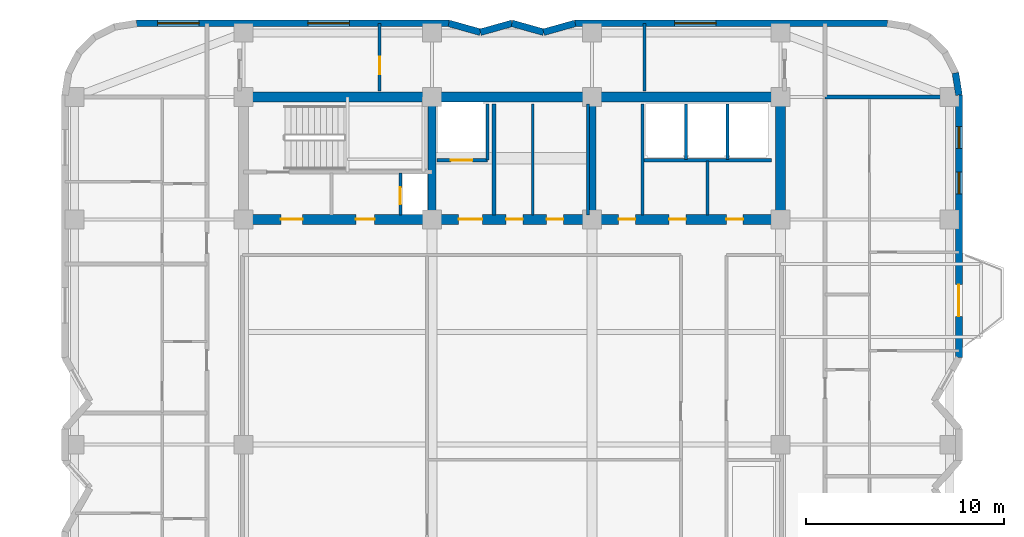
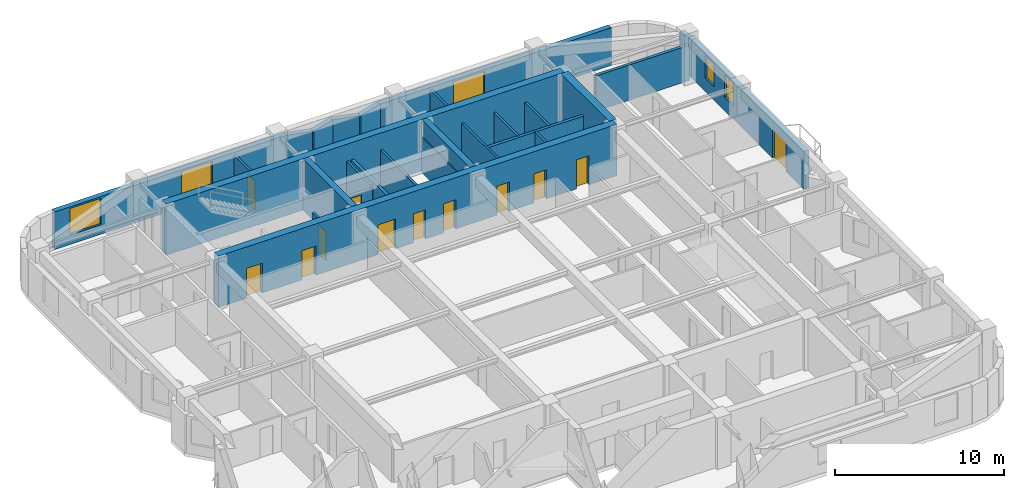
# One storey, part 6 of 9: 27 walls, 12 doors, 5 windows, 17 openings.
"""IFC4 building model written with IfcOpenShell, lengths in metres."""

from ifc_helpers import new_model, si_unit, direction, frame, frame_2d, origin, place, context, subcontext, project, spatial, rectangle, extrude, material, layer, layer_set, type_object, element, fill, save


model = new_model("IFC4")

# Units and contexts
model_context = context("Model", 3, precision=1e-05, world=origin(), true_north=direction((0.0, 1.0)))
body_context = subcontext(model_context, "Body", "Model", "MODEL_VIEW")
ifc_project = project(units=[si_unit("LENGTHUNIT", "METRE"), si_unit("AREAUNIT", "SQUARE_METRE"), si_unit("VOLUMEUNIT", "CUBIC_METRE"), si_unit("PLANEANGLEUNIT", "RADIAN"), si_unit("MASSUNIT", "GRAM", prefix="KILO")], contexts=[model_context])

# Site, building, storey
site_placement = place(None, origin())
site = spatial("IfcSite", under=ifc_project, at=site_placement, CompositionType="ELEMENT")
building_placement = place(site_placement, origin())
building = spatial("IfcBuilding", under=site, at=building_placement, Name="Svetorya Sky Lyceum", CompositionType="ELEMENT")
storey_placement = place(building_placement, frame((0.0, 0.0, 166.300048828125)))
storey = spatial("IfcBuildingStorey", under=building, at=storey_placement, Name="L41", CompositionType="ELEMENT", Elevation=166.300048828125)

# Walls
ifc_material_1 = material(Name="Concrete C40/50", Category="concrete")
ifc_layer_1 = layer(ifc_material_1, 0.39990234375)
ifc_layer_set_1 = layer_set([ifc_layer_1], Name="Concrete C40/50")
wall_type_1 = type_object("IfcWallType", Name="WL-CORE-400", PredefinedType="SHEAR", material=ifc_layer_set_1)
for number, where, z_axis, x_axis, name in (
    (1, (35.14990234375, 39.85009765625, 0.0), (0.0, 0.0, 1.0), (0.0, 1.0, 0.0), "L41 NC Internal Shear Web WEB1"),
    (2, (43.25, 39.85009765625, 0.0), (0.0, 0.0, 1.0), (0.0, 1.0, 0.0), "L41 NC Internal Shear Web WEB2"),
):
    element("IfcWall", number, at=place(storey_placement, frame(where, z_axis=z_axis, x_axis=x_axis)), inside=storey, type_object=wall_type_1, Name=name, PredefinedType="SHEAR", context=body_context, shape_type="SweptSolid", body=[
        extrude(rectangle(XDim=5.699951171875, YDim=0.39990234375, at=frame_2d((2.85009765625, 0.0))), origin(), (0.0, 0.0, 1.0), 3.699951171875),
    ])
ifc_material_2 = material(Name="Concrete C50/60", Category="concrete")
ifc_layer_2 = layer(ifc_material_2, 0.5)
ifc_layer_set_2 = layer_set([ifc_layer_2], Name="Concrete C50/60")
wall_type_2 = type_object("IfcWallType", Name="WL-CORE-500", PredefinedType="SHEAR", material=ifc_layer_set_2)
wall_1_placement = place(storey_placement, frame((25.60009765625, 45.800048828125, 0.0), z_axis=(0.0, 0.0, 1.0), x_axis=(1.0, 0.0, 0.0)))
element("IfcWall", 3, at=wall_1_placement, inside=storey, type_object=wall_type_2, Name="L41 NC Outer Core Shear Wall", PredefinedType="SHEAR", context=body_context, shape_type="SweptSolid", body=[
    extrude(rectangle(XDim=27.199951171875, YDim=0.5, at=frame_2d((13.60009765625, 0.0))), origin(), (0.0, 0.0, 1.0), 3.699951171875),
])
wall_2_placement = place(storey_placement, frame((52.800048828125, 39.85009765625, 0.0), z_axis=(0.0, 0.0, 1.0), x_axis=(0.0, 1.0, 0.0)))
element("IfcWall", 4, at=wall_2_placement, inside=storey, type_object=wall_type_2, Name="L41 NC East Core Shear Wall", PredefinedType="SHEAR", context=body_context, shape_type="SweptSolid", body=[
    extrude(rectangle(XDim=5.699951171875, YDim=0.5, at=frame_2d((2.85009765625, 0.0))), origin(), (0.0, 0.0, 1.0), 3.699951171875),
])

# Wall, openings, doors
wall_3_placement = place(storey_placement, frame((52.800048828125, 39.60009765625, 0.0), z_axis=(0.0, 0.0, 1.0), x_axis=(-1.0, 0.0, 0.0)))
wall_3 = element("IfcWall", 5, at=wall_3_placement, inside=storey, type_object=wall_type_2, Name="L41 NC Inner Core Shear Wall", PredefinedType="SHEAR", context=body_context, shape_type="SweptSolid", body=[
    extrude(rectangle(XDim=27.199951171875, YDim=0.5, at=frame_2d((13.60009765625, 0.0))), origin(), (0.0, 0.0, 1.0), 3.699951171875),
])
opening_1_placement = place(wall_3_placement, frame((24.199951171875, 0.0, 0.0)))
opening_1 = element("IfcOpeningElement", 6, at=opening_1_placement, cuts=wall_3, Name="Opening D-ST1", PredefinedType="OPENING", context=body_context, shape_type="SweptSolid", body=[
    extrude(rectangle(XDim=1.10009765625, YDim=2.14990234375, at=frame_2d((0.550048828125, 1.074951171875))), frame((0.0, 0.260009765625, 0.0), z_axis=(0.0, -1.0, 0.0), x_axis=(1.0, 0.0, 0.0)), (0.0, 0.0, 1.0), 0.52001953125),
])
opening_2_placement = place(wall_3_placement, frame((20.550048828125, 0.0, 0.0)))
opening_2 = element("IfcOpeningElement", 7, at=opening_2_placement, cuts=wall_3, Name="Opening D-CAC1", PredefinedType="OPENING", context=body_context, shape_type="SweptSolid", body=[
    extrude(rectangle(XDim=0.949951171875, YDim=2.10009765625, at=frame_2d((0.47509765625, 1.050048828125))), frame((0.0, 0.260009765625, 0.0), z_axis=(0.0, -1.0, 0.0), x_axis=(1.0, 0.0, 0.0)), (0.0, 0.0, 1.0), 0.52001953125),
])
opening_3_placement = place(wall_3_placement, frame((15.10009765625, 0.0, 0.0)))
opening_3 = element("IfcOpeningElement", 8, at=opening_3_placement, cuts=wall_3, Name="Opening D-FL1", PredefinedType="OPENING", context=body_context, shape_type="SweptSolid", body=[
    extrude(rectangle(XDim=1.199951171875, YDim=2.14990234375, at=frame_2d((0.60009765625, 1.074951171875))), frame((0.0, 0.260009765625, 0.0), z_axis=(0.0, -1.0, 0.0), x_axis=(1.0, 0.0, 0.0)), (0.0, 0.0, 1.0), 0.52001953125),
])
opening_4_placement = place(wall_3_placement, frame((13.050048828125, 0.0, 0.0)))
opening_4 = element("IfcOpeningElement", 9, at=opening_4_placement, cuts=wall_3, Name="Opening D-CWC1", PredefinedType="OPENING", context=body_context, shape_type="SweptSolid", body=[
    extrude(rectangle(XDim=0.85009765625, YDim=2.10009765625, at=frame_2d((0.425048828125, 1.050048828125))), frame((0.0, 0.260009765625, 0.0), z_axis=(0.0, -1.0, 0.0), x_axis=(1.0, 0.0, 0.0)), (0.0, 0.0, 1.0), 0.52001953125),
])
opening_5_placement = place(wall_3_placement, frame((11.0, 0.0, 0.0)))
opening_5 = element("IfcOpeningElement", 10, at=opening_5_placement, cuts=wall_3, Name="Opening D-CWC1", PredefinedType="OPENING", context=body_context, shape_type="SweptSolid", body=[
    extrude(rectangle(XDim=0.85009765625, YDim=2.10009765625, at=frame_2d((0.425048828125, 1.050048828125))), frame((0.0, 0.260009765625, 0.0), z_axis=(0.0, -1.0, 0.0), x_axis=(1.0, 0.0, 0.0)), (0.0, 0.0, 1.0), 0.52001953125),
])
opening_6_placement = place(wall_3_placement, frame((7.35009765625, 0.0, 0.0)))
opening_6 = element("IfcOpeningElement", 11, at=opening_6_placement, cuts=wall_3, Name="Opening D-CWC1", PredefinedType="OPENING", context=body_context, shape_type="SweptSolid", body=[
    extrude(rectangle(XDim=0.85009765625, YDim=2.10009765625, at=frame_2d((0.425048828125, 1.050048828125))), frame((0.0, 0.260009765625, 0.0), z_axis=(0.0, -1.0, 0.0), x_axis=(1.0, 0.0, 0.0)), (0.0, 0.0, 1.0), 0.52001953125),
])
opening_7_placement = place(wall_3_placement, frame((4.800048828125, 0.0, 0.0)))
opening_7 = element("IfcOpeningElement", 12, at=opening_7_placement, cuts=wall_3, Name="Opening D-CWC1", PredefinedType="OPENING", context=body_context, shape_type="SweptSolid", body=[
    extrude(rectangle(XDim=0.85009765625, YDim=2.10009765625, at=frame_2d((0.425048828125, 1.050048828125))), frame((0.0, 0.260009765625, 0.0), z_axis=(0.0, -1.0, 0.0), x_axis=(1.0, 0.0, 0.0)), (0.0, 0.0, 1.0), 0.52001953125),
])
opening_8_placement = place(wall_3_placement, frame((1.89990234375, 0.0, 0.0)))
opening_8 = element("IfcOpeningElement", 13, at=opening_8_placement, cuts=wall_3, Name="Opening D-CWC1", PredefinedType="OPENING", context=body_context, shape_type="SweptSolid", body=[
    extrude(rectangle(XDim=0.85009765625, YDim=2.10009765625, at=frame_2d((0.425048828125, 1.050048828125))), frame((0.0, 0.260009765625, 0.0), z_axis=(0.0, -1.0, 0.0), x_axis=(1.0, 0.0, 0.0)), (0.0, 0.0, 1.0), 0.52001953125),
])
ifc_material_3 = material(Name="Fire-rated galvanized steel core accessible WC door", Category="steel")
door_type_1 = type_object("IfcDoorType", Name="DR-CACC-950", OperationType="SINGLE_SWING_LEFT", PredefinedType="DOOR", material=ifc_material_3)
door_1_placement = place(opening_2_placement, origin())
door_1 = element("IfcDoor", 14, at=door_1_placement, inside=storey, type_object=door_type_1, Name="L41 North Core Accessible WC Door", OperationType="SINGLE_SWING_RIGHT", OverallHeight=2.10009765625, OverallWidth=0.949951171875, PredefinedType="DOOR", context=body_context, shape_type="SweptSolid", body=[
    extrude(rectangle(XDim=0.949951171875, YDim=2.10009765625, at=frame_2d((0.47509765625, 1.050048828125))), frame((0.0, 0.02490234375, 0.0), z_axis=(0.0, -1.0, 0.0), x_axis=(1.0, 0.0, 0.0)), (0.0, 0.0, 1.0), 0.050048828125),
])
fill(opening_2, door_1)
ifc_material_4 = material(Name="Fire-rated galvanized steel core service closet door", Category="steel")
door_type_2 = type_object("IfcDoorType", Name="DR-CWET-850", OperationType="SINGLE_SWING_LEFT", PredefinedType="DOOR", material=ifc_material_4)
door_2_placement = place(opening_4_placement, origin())
door_2 = element("IfcDoor", 15, at=door_2_placement, inside=storey, type_object=door_type_2, Name="L41 Upper Linen Door", OperationType="SINGLE_SWING_LEFT", OverallHeight=2.10009765625, OverallWidth=0.85009765625, PredefinedType="DOOR", context=body_context, shape_type="SweptSolid", body=[
    extrude(rectangle(XDim=0.85009765625, YDim=2.10009765625, at=frame_2d((0.425048828125, 1.050048828125))), frame((0.0, 0.02490234375, 0.0), z_axis=(0.0, -1.0, 0.0), x_axis=(1.0, 0.0, 0.0)), (0.0, 0.0, 1.0), 0.050048828125),
])
fill(opening_4, door_2)
door_3_placement = place(opening_5_placement, origin())
door_3 = element("IfcDoor", 16, at=door_3_placement, inside=storey, type_object=door_type_2, Name="L41 Upper Laundry Door", OperationType="SINGLE_SWING_RIGHT", OverallHeight=2.10009765625, OverallWidth=0.85009765625, PredefinedType="DOOR", context=body_context, shape_type="SweptSolid", body=[
    extrude(rectangle(XDim=0.85009765625, YDim=2.10009765625, at=frame_2d((0.425048828125, 1.050048828125))), frame((0.0, 0.02490234375, 0.0), z_axis=(0.0, -1.0, 0.0), x_axis=(1.0, 0.0, 0.0)), (0.0, 0.0, 1.0), 0.050048828125),
])
fill(opening_5, door_3)
door_4_placement = place(opening_6_placement, origin())
door_4 = element("IfcDoor", 17, at=door_4_placement, inside=storey, type_object=door_type_2, Name="L41 High-Zone Utility Room Door", OperationType="SINGLE_SWING_LEFT", OverallHeight=2.10009765625, OverallWidth=0.85009765625, PredefinedType="DOOR", context=body_context, shape_type="SweptSolid", body=[
    extrude(rectangle(XDim=0.85009765625, YDim=2.10009765625, at=frame_2d((0.425048828125, 1.050048828125))), frame((0.0, 0.02490234375, 0.0), z_axis=(0.0, -1.0, 0.0), x_axis=(1.0, 0.0, 0.0)), (0.0, 0.0, 1.0), 0.050048828125),
])
fill(opening_6, door_4)
door_5_placement = place(opening_7_placement, origin())
door_5 = element("IfcDoor", 18, at=door_5_placement, inside=storey, type_object=door_type_2, Name="L41 North Pantry Door", OperationType="SINGLE_SWING_LEFT", OverallHeight=2.10009765625, OverallWidth=0.85009765625, PredefinedType="DOOR", context=body_context, shape_type="SweptSolid", body=[
    extrude(rectangle(XDim=0.85009765625, YDim=2.10009765625, at=frame_2d((0.425048828125, 1.050048828125))), frame((0.0, 0.02490234375, 0.0), z_axis=(0.0, -1.0, 0.0), x_axis=(1.0, 0.0, 0.0)), (0.0, 0.0, 1.0), 0.050048828125),
])
fill(opening_7, door_5)
door_6_placement = place(opening_8_placement, origin())
door_6 = element("IfcDoor", 19, at=door_6_placement, inside=storey, type_object=door_type_2, Name="L41 North Laundry Door", OperationType="SINGLE_SWING_RIGHT", OverallHeight=2.10009765625, OverallWidth=0.85009765625, PredefinedType="DOOR", context=body_context, shape_type="SweptSolid", body=[
    extrude(rectangle(XDim=0.85009765625, YDim=2.10009765625, at=frame_2d((0.425048828125, 1.050048828125))), frame((0.0, 0.02490234375, 0.0), z_axis=(0.0, -1.0, 0.0), x_axis=(1.0, 0.0, 0.0)), (0.0, 0.0, 1.0), 0.050048828125),
])
fill(opening_8, door_6)
ifc_material_5 = material(Name="Powder-coated insulated galvanized stair fire door")
door_type_3 = type_object("IfcDoorType", Name="DR-FIRE-1100", OperationType="SINGLE_SWING_LEFT", PredefinedType="DOOR", material=ifc_material_5)
door_7_placement = place(opening_1_placement, origin())
door_7 = element("IfcDoor", 20, at=door_7_placement, inside=storey, type_object=door_type_3, Name="L41 North Stair Airlock Door", OperationType="SINGLE_SWING_LEFT", OverallHeight=2.14990234375, OverallWidth=1.10009765625, PredefinedType="DOOR", context=body_context, shape_type="SweptSolid", body=[
    extrude(rectangle(XDim=1.10009765625, YDim=2.14990234375, at=frame_2d((0.550048828125, 1.074951171875))), frame((0.0, 0.02490234375, 0.0), z_axis=(0.0, -1.0, 0.0), x_axis=(1.0, 0.0, 0.0)), (0.0, 0.0, 1.0), 0.050048828125),
])
fill(opening_1, door_7)
ifc_material_6 = material(Name="Powder-coated insulated galvanized fire door")
door_type_4 = type_object("IfcDoorType", Name="DR-FIRE-1200", OperationType="SINGLE_SWING_LEFT", PredefinedType="DOOR", material=ifc_material_6)
door_8_placement = place(opening_3_placement, origin())
door_8 = element("IfcDoor", 21, at=door_8_placement, inside=storey, type_object=door_type_4, Name="L41 North Firefighting Lift Lobby Door", OperationType="SINGLE_SWING_RIGHT", OverallHeight=2.14990234375, OverallWidth=1.199951171875, PredefinedType="DOOR", context=body_context, shape_type="SweptSolid", body=[
    extrude(rectangle(XDim=1.199951171875, YDim=2.14990234375, at=frame_2d((0.60009765625, 1.074951171875))), frame((0.0, 0.02490234375, 0.0), z_axis=(0.0, -1.0, 0.0), x_axis=(1.0, 0.0, 0.0)), (0.0, 0.0, 1.0), 0.050048828125),
])
fill(opening_3, door_8)

# Wall, openings, door, windows
ifc_material_7 = material(Name="Putilovo limestone rainscreen on autoclaved cellular masonry", Category="masonry")
ifc_layer_3 = layer(ifc_material_7, 0.340087890625)
ifc_layer_set_3 = layer_set([ifc_layer_3], Name="Putilovo limestone rainscreen on autoclaved cellular masonry")
wall_type_3 = type_object("IfcWallType", Name="WL-EXT-340", PredefinedType="SOLIDWALL", material=ifc_layer_set_3)
wall_4_placement = place(storey_placement, frame((61.830078125, 32.60009765625, 0.0), z_axis=(0.0, 0.0, 1.0), x_axis=(0.0, 1.0, 0.0)))
wall_4 = element("IfcWall", 22, at=wall_4_placement, inside=storey, type_object=wall_type_3, Name="L41 Limestone Exterior Wall 23M", PredefinedType="SOLIDWALL", context=body_context, shape_type="SweptSolid", body=[
    extrude(rectangle(XDim=13.2998046875, YDim=0.340087890625, at=frame_2d((6.64990234375, 0.0))), origin(), (0.0, 0.0, 1.0), 2.719970703125),
])
opening_9_placement = place(wall_4_placement, frame((2.10009765625, 0.0, 0.0)))
opening_9 = element("IfcOpeningElement", 23, at=opening_9_placement, cuts=wall_4, Name="Opening D-BL1", PredefinedType="OPENING", context=body_context, shape_type="SweptSolid", body=[
    extrude(rectangle(XDim=1.60009765625, YDim=2.10009765625, at=frame_2d((0.800048828125, 1.050048828125))), frame((0.0, 0.179931640625, 0.0), z_axis=(0.0, -1.0, 0.0), x_axis=(1.0, 0.0, 0.0)), (0.0, 0.0, 1.0), 0.360107421875),
])
opening_10_placement = place(wall_4_placement, frame((8.300048828125, 0.0, 0.949951171875)))
opening_10 = element("IfcOpeningElement", 24, at=opening_10_placement, cuts=wall_4, Name="Opening W-R3", PredefinedType="OPENING", context=body_context, shape_type="SweptSolid", body=[
    extrude(rectangle(XDim=1.10009765625, YDim=1.64990234375, at=frame_2d((0.550048828125, 0.824951171875))), frame((0.0, 0.179931640625, 0.0), z_axis=(0.0, -1.0, 0.0), x_axis=(1.0, 0.0, 0.0)), (0.0, 0.0, 1.0), 0.360107421875),
])
opening_11_placement = place(wall_4_placement, frame((10.60009765625, 0.0, 0.949951171875)))
opening_11 = element("IfcOpeningElement", 25, at=opening_11_placement, cuts=wall_4, Name="Opening W-R3", PredefinedType="OPENING", context=body_context, shape_type="SweptSolid", body=[
    extrude(rectangle(XDim=1.10009765625, YDim=1.64990234375, at=frame_2d((0.550048828125, 0.824951171875))), frame((0.0, 0.179931640625, 0.0), z_axis=(0.0, -1.0, 0.0), x_axis=(1.0, 0.0, 0.0)), (0.0, 0.0, 1.0), 0.360107421875),
])
ifc_material_8 = material(Name="Insulated glazed aluminium balcony door", Category="aluminium")
door_type_5 = type_object("IfcDoorType", Name="DR-BAL-1600", OperationType="DOUBLE_DOOR_SINGLE_SWING", PredefinedType="DOOR", material=ifc_material_8)
door_9_placement = place(opening_9_placement, origin())
door_9 = element("IfcDoor", 26, at=door_9_placement, inside=storey, type_object=door_type_5, Name="L41 Balcony BAL-E1 Door", OperationType="DOUBLE_DOOR_SINGLE_SWING", OverallHeight=2.10009765625, OverallWidth=1.60009765625, PredefinedType="DOOR", context=body_context, shape_type="SweptSolid", body=[
    extrude(rectangle(XDim=1.60009765625, YDim=2.10009765625, at=frame_2d((0.800048828125, 1.050048828125))), frame((0.0, 0.02490234375, 0.0), z_axis=(0.0, -1.0, 0.0), x_axis=(1.0, 0.0, 0.0)), (0.0, 0.0, 1.0), 0.050048828125),
])
fill(opening_9, door_9)
ifc_material_9 = material(Name="Thermally broken aluminium frame with triple low-E glazing", Category="aluminium")
window_type_1 = type_object("IfcWindowType", Name="WN-RES-110", PartitioningType="SINGLE_PANEL", PredefinedType="WINDOW", material=ifc_material_9)
window_1_placement = place(opening_10_placement, origin())
window_1 = element("IfcWindow", 27, at=window_1_placement, inside=storey, type_object=window_type_1, Name="L41 Facade Window W-R3.23M.1", OverallHeight=1.64990234375, OverallWidth=1.10009765625, PartitioningType="SINGLE_PANEL", PredefinedType="WINDOW", context=body_context, shape_type="SweptSolid", body=[
    extrude(rectangle(XDim=1.10009765625, YDim=1.64990234375, at=frame_2d((0.550048828125, 0.824951171875))), frame((0.0, 0.030029296875, 0.0), z_axis=(0.0, -1.0, 0.0), x_axis=(1.0, 0.0, 0.0)), (0.0, 0.0, 1.0), 0.06005859375),
])
fill(opening_10, window_1)
window_2_placement = place(opening_11_placement, origin())
window_2 = element("IfcWindow", 28, at=window_2_placement, inside=storey, type_object=window_type_1, Name="L41 Facade Window W-R3.23M.2", OverallHeight=1.64990234375, OverallWidth=1.10009765625, PartitioningType="SINGLE_PANEL", PredefinedType="WINDOW", context=body_context, shape_type="SweptSolid", body=[
    extrude(rectangle(XDim=1.10009765625, YDim=1.64990234375, at=frame_2d((0.550048828125, 0.824951171875))), frame((0.0, 0.030029296875, 0.0), z_axis=(0.0, -1.0, 0.0), x_axis=(1.0, 0.0, 0.0)), (0.0, 0.0, 1.0), 0.06005859375),
])
fill(opening_11, window_2)

# Wall
wall_5_placement = place(storey_placement, frame((61.830078125, 45.89990234375, 0.0), z_axis=(0.0, 0.0, 1.0), x_axis=(-0.156481329164, 0.987680916907, 0.0)))
element("IfcWall", 29, at=wall_5_placement, inside=storey, type_object=wall_type_3, Name="L41 Limestone Exterior Wall 24M", PredefinedType="SOLIDWALL", context=body_context, shape_type="SweptSolid", body=[
    extrude(rectangle(XDim=1.1357421875, YDim=0.340087890625, at=frame_2d((0.56787109375, 0.0))), origin(), (0.0, 0.0, 1.0), 2.719970703125),
])

# Wall, opening, window
wall_6_placement = place(storey_placement, frame((58.199951171875, 49.530029296875, 0.0), z_axis=(0.0, 0.0, 1.0), x_axis=(-1.0, 0.0, 0.0)))
wall_6 = element("IfcWall", 30, at=wall_6_placement, inside=storey, type_object=wall_type_3, Name="L41 Limestone Exterior Wall 29M", PredefinedType="SOLIDWALL", context=body_context, shape_type="SweptSolid", body=[
    extrude(rectangle(XDim=15.800048828125, YDim=0.340087890625, at=frame_2d((7.89990234375, 0.0))), origin(), (0.0, 0.0, 1.0), 2.719970703125),
])
opening_12_placement = place(wall_6_placement, frame((8.66259765625, 0.0, 0.699951171875)))
opening_12 = element("IfcOpeningElement", 31, at=opening_12_placement, cuts=wall_6, Name="Opening W-R0", PredefinedType="OPENING", context=body_context, shape_type="SweptSolid", body=[
    extrude(rectangle(XDim=2.10009765625, YDim=1.89990234375, at=frame_2d((1.050048828125, 0.949951171875))), frame((0.0, 0.179931640625, 0.0), z_axis=(0.0, -1.0, 0.0), x_axis=(1.0, 0.0, 0.0)), (0.0, 0.0, 1.0), 0.360107421875),
])
window_type_2 = type_object("IfcWindowType", Name="WN-RES-210", PartitioningType="TRIPLE_PANEL_VERTICAL", PredefinedType="WINDOW", material=ifc_material_9)
window_3_placement = place(opening_12_placement, origin())
window_3 = element("IfcWindow", 32, at=window_3_placement, inside=storey, type_object=window_type_2, Name="L41 Facade Window W-R0.29M.1", OverallHeight=1.89990234375, OverallWidth=2.10009765625, PartitioningType="SINGLE_PANEL", PredefinedType="WINDOW", context=body_context, shape_type="SweptSolid", body=[
    extrude(rectangle(XDim=2.10009765625, YDim=1.89990234375, at=frame_2d((1.050048828125, 0.949951171875))), frame((0.0, 0.030029296875, 0.0), z_axis=(0.0, -1.0, 0.0), x_axis=(1.0, 0.0, 0.0)), (0.0, 0.0, 1.0), 0.06005859375),
])
fill(opening_12, window_3)

# Walls
wall_7_placement = place(storey_placement, frame((42.39990234375, 49.530029296875, 0.0), z_axis=(0.0, 0.0, 1.0), x_axis=(-0.962652136636, -0.270741322725, 0.0)))
element("IfcWall", 33, at=wall_7_placement, inside=storey, type_object=wall_type_3, Name="L41 Limestone Exterior Wall 30M", PredefinedType="SOLIDWALL", context=body_context, shape_type="SweptSolid", body=[
    extrude(rectangle(XDim=1.661865234375, YDim=0.340087890625, at=frame_2d((0.8310546875, 0.0))), origin(), (0.0, 0.0, 1.0), 2.719970703125),
])
wall_8_placement = place(storey_placement, frame((40.800048828125, 49.080078125, 0.0), z_axis=(0.0, 0.0, 1.0), x_axis=(-0.962662902433, 0.270703040766, 0.0)))
element("IfcWall", 34, at=wall_8_placement, inside=storey, type_object=wall_type_3, Name="L41 Limestone Exterior Wall 31M", PredefinedType="SOLIDWALL", context=body_context, shape_type="SweptSolid", body=[
    extrude(rectangle(XDim=1.662109375, YDim=0.340087890625, at=frame_2d((0.8310546875, 0.0))), origin(), (0.0, 0.0, 1.0), 2.719970703125),
])
wall_9_placement = place(storey_placement, frame((39.199951171875, 49.530029296875, 0.0), z_axis=(0.0, 0.0, 1.0), x_axis=(-0.962652136636, -0.270741322725, 0.0)))
element("IfcWall", 35, at=wall_9_placement, inside=storey, type_object=wall_type_3, Name="L41 Limestone Exterior Wall 32M", PredefinedType="SOLIDWALL", context=body_context, shape_type="SweptSolid", body=[
    extrude(rectangle(XDim=1.661865234375, YDim=0.340087890625, at=frame_2d((0.8310546875, 0.0))), origin(), (0.0, 0.0, 1.0), 2.719970703125),
])
wall_10_placement = place(storey_placement, frame((37.60009765625, 49.080078125, 0.0), z_axis=(0.0, 0.0, 1.0), x_axis=(-0.962662902433, 0.270703040766, 0.0)))
element("IfcWall", 36, at=wall_10_placement, inside=storey, type_object=wall_type_3, Name="L41 Limestone Exterior Wall 33M", PredefinedType="SOLIDWALL", context=body_context, shape_type="SweptSolid", body=[
    extrude(rectangle(XDim=1.662109375, YDim=0.340087890625, at=frame_2d((0.8310546875, 0.0))), origin(), (0.0, 0.0, 1.0), 2.719970703125),
])

# Wall, openings, windows
wall_11_placement = place(storey_placement, frame((36.0, 49.530029296875, 0.0), z_axis=(0.0, 0.0, 1.0), x_axis=(-1.0, 0.0, 0.0)))
wall_11 = element("IfcWall", 37, at=wall_11_placement, inside=storey, type_object=wall_type_3, Name="L41 Limestone Exterior Wall 34M", PredefinedType="SOLIDWALL", context=body_context, shape_type="SweptSolid", body=[
    extrude(rectangle(XDim=15.800048828125, YDim=0.340087890625, at=frame_2d((7.89990234375, 0.0))), origin(), (0.0, 0.0, 1.0), 2.719970703125),
])
opening_13_placement = place(wall_11_placement, frame((5.03759765625, 0.0, 0.699951171875)))
opening_13 = element("IfcOpeningElement", 38, at=opening_13_placement, cuts=wall_11, Name="Opening W-R0", PredefinedType="OPENING", context=body_context, shape_type="SweptSolid", body=[
    extrude(rectangle(XDim=2.10009765625, YDim=1.89990234375, at=frame_2d((1.050048828125, 0.949951171875))), frame((0.0, 0.179931640625, 0.0), z_axis=(0.0, -1.0, 0.0), x_axis=(1.0, 0.0, 0.0)), (0.0, 0.0, 1.0), 0.360107421875),
])
opening_14_placement = place(wall_11_placement, frame((12.637451171875, 0.0, 0.699951171875)))
opening_14 = element("IfcOpeningElement", 39, at=opening_14_placement, cuts=wall_11, Name="Opening W-R0", PredefinedType="OPENING", context=body_context, shape_type="SweptSolid", body=[
    extrude(rectangle(XDim=2.10009765625, YDim=1.89990234375, at=frame_2d((1.050048828125, 0.949951171875))), frame((0.0, 0.179931640625, 0.0), z_axis=(0.0, -1.0, 0.0), x_axis=(1.0, 0.0, 0.0)), (0.0, 0.0, 1.0), 0.360107421875),
])
window_4_placement = place(opening_13_placement, origin())
window_4 = element("IfcWindow", 40, at=window_4_placement, inside=storey, type_object=window_type_2, Name="L41 Facade Window W-R0.34M.1", OverallHeight=1.89990234375, OverallWidth=2.10009765625, PartitioningType="SINGLE_PANEL", PredefinedType="WINDOW", context=body_context, shape_type="SweptSolid", body=[
    extrude(rectangle(XDim=2.10009765625, YDim=1.89990234375, at=frame_2d((1.050048828125, 0.949951171875))), frame((0.0, 0.030029296875, 0.0), z_axis=(0.0, -1.0, 0.0), x_axis=(1.0, 0.0, 0.0)), (0.0, 0.0, 1.0), 0.06005859375),
])
fill(opening_13, window_4)
window_5_placement = place(opening_14_placement, origin())
window_5 = element("IfcWindow", 41, at=window_5_placement, inside=storey, type_object=window_type_2, Name="L41 Facade Window W-R0.34M.2", OverallHeight=1.89990234375, OverallWidth=2.10009765625, PartitioningType="SINGLE_PANEL", PredefinedType="WINDOW", context=body_context, shape_type="SweptSolid", body=[
    extrude(rectangle(XDim=2.10009765625, YDim=1.89990234375, at=frame_2d((1.050048828125, 0.949951171875))), frame((0.0, 0.030029296875, 0.0), z_axis=(0.0, -1.0, 0.0), x_axis=(1.0, 0.0, 0.0)), (0.0, 0.0, 1.0), 0.06005859375),
])
fill(opening_14, window_5)

# Wall, opening, door
ifc_material_10 = material(Name="Autoclaved cellular masonry blockwork with acoustic render", Category="masonry")
ifc_layer_4 = layer(ifc_material_10, 0.14990234375)
ifc_layer_set_4 = layer_set([ifc_layer_4], Name="Autoclaved cellular masonry blockwork with acoustic render")
wall_type_4 = type_object("IfcWallType", Name="WL-PART-150", PredefinedType="PARTITIONING", material=ifc_layer_set_4)
wall_12_placement = place(storey_placement, frame((33.550048828125, 39.820068359375, 0.0), z_axis=(0.0, 0.0, 1.0), x_axis=(0.0, 1.0, 0.0)))
wall_12 = element("IfcWall", 42, at=wall_12_placement, inside=storey, type_object=wall_type_4, Name="L41 Interior Partition NC-RSRW", PredefinedType="PARTITIONING", context=body_context, shape_type="SweptSolid", body=[
    extrude(rectangle(XDim=2.1298828125, YDim=0.14990234375, at=frame_2d((1.06494140625, 0.0))), origin(), (0.0, 0.0, 1.0), 2.550048828125),
])
opening_15_placement = place(wall_12_placement, frame((0.550048828125, 0.0, 0.0)))
opening_15 = element("IfcOpeningElement", 43, at=opening_15_placement, cuts=wall_12, Name="Opening D-SH1", PredefinedType="OPENING", context=body_context, shape_type="SweptSolid", body=[
    extrude(rectangle(XDim=0.85009765625, YDim=2.050048828125, at=frame_2d((0.425048828125, 1.02490234375))), frame((0.0, 0.0849609375, 0.0), z_axis=(0.0, -1.0, 0.0), x_axis=(1.0, 0.0, 0.0)), (0.0, 0.0, 1.0), 0.169921875),
])
ifc_material_11 = material(Name="Insulated galvanized riser inspection fire door")
door_type_6 = type_object("IfcDoorType", Name="DR-SHFT-850", OperationType="SINGLE_SWING_LEFT", PredefinedType="TRAPDOOR", material=ifc_material_11)
door_10_placement = place(opening_15_placement, origin())
door_10 = element("IfcDoor", 44, at=door_10_placement, inside=storey, type_object=door_type_6, Name="L41 North Riser Access Door", OperationType="SINGLE_SWING_LEFT", OverallHeight=2.050048828125, OverallWidth=0.85009765625, PredefinedType="TRAPDOOR", context=body_context, shape_type="SweptSolid", body=[
    extrude(rectangle(XDim=0.85009765625, YDim=2.050048828125, at=frame_2d((0.425048828125, 1.02490234375))), frame((0.0, 0.02490234375, 0.0), z_axis=(0.0, -1.0, 0.0), x_axis=(1.0, 0.0, 0.0)), (0.0, 0.0, 1.0), 0.050048828125),
])
fill(opening_15, door_10)

# Walls
wall_13_placement = place(storey_placement, frame((37.949951171875, 42.60009765625, 0.0), z_axis=(0.0, 0.0, 1.0), x_axis=(0.0, 1.0, 0.0)))
element("IfcWall", 45, at=wall_13_placement, inside=storey, type_object=wall_type_4, Name="L41 Interior Partition NC-FL1SIDE", PredefinedType="PARTITIONING", context=body_context, shape_type="SweptSolid", body=[
    extrude(rectangle(XDim=2.849853515625, YDim=0.14990234375, at=frame_2d((1.4248046875, 0.0))), origin(), (0.0, 0.0, 1.0), 2.550048828125),
])
for number, where, z_axis, x_axis, name in (
    (46, (43.050048828125, 39.820068359375, 0.0), (0.0, 0.0, 1.0), (0.0, 1.0, 0.0), "L41 Interior Partition NC-FPM-END"),
    (47, (40.25, 39.820068359375, 0.0), (0.0, 0.0, 1.0), (0.0, 1.0, 0.0), "L41 Interior Partition NC-FPM-V2"),
    (48, (45.800048828125, 39.820068359375, 0.0), (0.0, 0.0, 1.0), (0.0, 1.0, 0.0), "L41 Interior Partition NC-PM3-FULL"),
):
    element("IfcWall", number, at=place(storey_placement, frame(where, z_axis=z_axis, x_axis=x_axis)), inside=storey, type_object=wall_type_4, Name=name, PredefinedType="PARTITIONING", context=body_context, shape_type="SweptSolid", body=[
        extrude(rectangle(XDim=5.6298828125, YDim=0.14990234375, at=frame_2d((2.81494140625, 0.0))), origin(), (0.0, 0.0, 1.0), 2.550048828125),
    ])
for number, where, z_axis, x_axis, name in (
    (49, (48.0, 42.64990234375, 0.0), (0.0, 0.0, 1.0), (0.0, 1.0, 0.0), "L41 Interior Partition NC-PH-D1"),
    (50, (50.10009765625, 42.64990234375, 0.0), (0.0, 0.0, 1.0), (0.0, 1.0, 0.0), "L41 Interior Partition NC-PH-D2"),
):
    element("IfcWall", number, at=place(storey_placement, frame(where, z_axis=z_axis, x_axis=x_axis)), inside=storey, type_object=wall_type_4, Name=name, PredefinedType="PARTITIONING", context=body_context, shape_type="SweptSolid", body=[
        extrude(rectangle(XDim=2.800048828125, YDim=0.14990234375, at=frame_2d((1.39990234375, 0.0))), origin(), (0.0, 0.0, 1.0), 2.550048828125),
    ])
wall_14_placement = place(storey_placement, frame((49.10009765625, 39.820068359375, 0.0), z_axis=(0.0, 0.0, 1.0), x_axis=(0.0, 1.0, 0.0)))
element("IfcWall", 51, at=wall_14_placement, inside=storey, type_object=wall_type_4, Name="L41 Interior Partition NC-EDH", PredefinedType="PARTITIONING", context=body_context, shape_type="SweptSolid", body=[
    extrude(rectangle(XDim=2.72998046875, YDim=0.14990234375, at=frame_2d((1.364990234375, 0.0))), origin(), (0.0, 0.0, 1.0), 2.550048828125),
])

# Wall, opening, door
wall_15_placement = place(storey_placement, frame((32.5, 46.10009765625, 0.0), z_axis=(0.0, 0.0, 1.0), x_axis=(0.0, 1.0, 0.0)))
wall_15 = element("IfcWall", 52, at=wall_15_placement, inside=storey, type_object=wall_type_4, Name="L41 Interior Partition N-D1", PredefinedType="PARTITIONING", context=body_context, shape_type="SweptSolid", body=[
    extrude(rectangle(XDim=3.429931640625, YDim=0.14990234375, at=frame_2d((1.71484375, 0.0))), origin(), (0.0, 0.0, 1.0), 2.550048828125),
])
opening_16_placement = place(wall_15_placement, frame((0.85009765625, 0.0, 0.0)))
opening_16 = element("IfcOpeningElement", 53, at=opening_16_placement, cuts=wall_15, Name="Opening D-RM1", PredefinedType="OPENING", context=body_context, shape_type="SweptSolid", body=[
    extrude(rectangle(XDim=0.89990234375, YDim=2.10009765625, at=frame_2d((0.449951171875, 1.050048828125))), frame((0.0, 0.0849609375, 0.0), z_axis=(0.0, -1.0, 0.0), x_axis=(1.0, 0.0, 0.0)), (0.0, 0.0, 1.0), 0.169921875),
])
ifc_material_12 = material(Name="Lacquered birch veneer internal door")
door_type_7 = type_object("IfcDoorType", Name="DR-INT-900", OperationType="SINGLE_SWING_LEFT", PredefinedType="DOOR", material=ifc_material_12)
door_11_placement = place(opening_16_placement, origin())
door_11 = element("IfcDoor", 54, at=door_11_placement, inside=storey, type_object=door_type_7, Name="L41 North Store Door", OperationType="SINGLE_SWING_RIGHT", OverallHeight=2.10009765625, OverallWidth=0.89990234375, PredefinedType="DOOR", context=body_context, shape_type="SweptSolid", body=[
    extrude(rectangle(XDim=0.89990234375, YDim=2.10009765625, at=frame_2d((0.449951171875, 1.050048828125))), frame((0.0, 0.02490234375, 0.0), z_axis=(0.0, -1.0, 0.0), x_axis=(1.0, 0.0, 0.0)), (0.0, 0.0, 1.0), 0.050048828125),
])
fill(opening_16, door_11)

# Wall
wall_16_placement = place(storey_placement, frame((45.89990234375, 46.10009765625, 0.0), z_axis=(0.0, 0.0, 1.0), x_axis=(0.0, 1.0, 0.0)))
element("IfcWall", 55, at=wall_16_placement, inside=storey, type_object=wall_type_4, Name="L41 Interior Partition N-D2", PredefinedType="PARTITIONING", context=body_context, shape_type="SweptSolid", body=[
    extrude(rectangle(XDim=3.429931640625, YDim=0.14990234375, at=frame_2d((1.71484375, 0.0))), origin(), (0.0, 0.0, 1.0), 2.550048828125),
])

# Wall, opening, door
ifc_material_13 = material(Name="Autoclaved cellular masonry blockwork with gypsum plaster", Category="masonry")
ifc_layer_5 = layer(ifc_material_13, 0.199951171875)
ifc_layer_set_5 = layer_set([ifc_layer_5], Name="Autoclaved cellular masonry blockwork with gypsum plaster")
wall_type_5 = type_object("IfcWallType", Name="WL-PART-200", PredefinedType="PARTITIONING", material=ifc_layer_set_5)
wall_17_placement = place(storey_placement, frame((37.949951171875, 42.60009765625, 0.0), z_axis=(0.0, 0.0, 1.0), x_axis=(-1.0, 0.0, 0.0)))
wall_17 = element("IfcWall", 56, at=wall_17_placement, inside=storey, type_object=wall_type_5, Name="L41 Interior Partition NC-FL1W", PredefinedType="PARTITIONING", context=body_context, shape_type="SweptSolid", body=[
    extrude(rectangle(XDim=2.550048828125, YDim=0.199951171875, at=frame_2d((1.27490234375, 0.0))), origin(), (0.0, 0.0, 1.0), 2.320068359375),
])
opening_17_placement = place(wall_17_placement, frame((0.75, 0.0, 0.0)))
opening_17 = element("IfcOpeningElement", 57, at=opening_17_placement, cuts=wall_17, Name="Opening LD-FL", PredefinedType="OPENING", context=body_context, shape_type="SweptSolid", body=[
    extrude(rectangle(XDim=1.10009765625, YDim=2.14990234375, at=frame_2d((0.550048828125, 1.074951171875))), frame((0.0, 0.10986328125, 0.0), z_axis=(0.0, -1.0, 0.0), x_axis=(1.0, 0.0, 0.0)), (0.0, 0.0, 1.0), 0.219970703125),
])
ifc_material_14 = material(Name="Fire-rated stainless AISI 304 firefighting lift landing door")
door_type_8 = type_object("IfcDoorType", Name="DR-LIFT-1100", OperationType="SLIDING_TO_LEFT", PredefinedType="DOOR", material=ifc_material_14)
door_12_placement = place(opening_17_placement, origin())
door_12 = element("IfcDoor", 58, at=door_12_placement, inside=storey, type_object=door_type_8, Name="L41 Firefighting Lift FL1 Landing Door", OperationType="SLIDING_TO_LEFT", OverallHeight=2.14990234375, OverallWidth=1.10009765625, PredefinedType="DOOR", context=body_context, shape_type="SweptSolid", body=[
    extrude(rectangle(XDim=1.10009765625, YDim=2.14990234375, at=frame_2d((0.550048828125, 1.074951171875))), frame((0.0, 0.02490234375, 0.0), z_axis=(0.0, -1.0, 0.0), x_axis=(1.0, 0.0, 0.0)), (0.0, 0.0, 1.0), 0.050048828125),
])
fill(opening_17, door_12)

# Walls
wall_18_placement = place(storey_placement, frame((38.280029296875, 39.820068359375, 0.0), z_axis=(0.0, 0.0, 1.0), x_axis=(0.0, 1.0, 0.0)))
element("IfcWall", 59, at=wall_18_placement, inside=storey, type_object=wall_type_5, Name="L41 Interior Partition NC-FFLDIV", PredefinedType="PARTITIONING", context=body_context, shape_type="SweptSolid", body=[
    extrude(rectangle(XDim=5.6298828125, YDim=0.199951171875, at=frame_2d((2.81494140625, 0.0))), origin(), (0.0, 0.0, 1.0), 2.550048828125),
])
wall_19_placement = place(storey_placement, frame((52.35009765625, 42.60009765625, 0.0), z_axis=(0.0, 0.0, 1.0), x_axis=(-1.0, 0.0, 0.0)))
element("IfcWall", 60, at=wall_19_placement, inside=storey, type_object=wall_type_5, Name="L41 Interior Partition NC-PHEW", PredefinedType="PARTITIONING", context=body_context, shape_type="SweptSolid", body=[
    extrude(rectangle(XDim=6.5, YDim=0.199951171875, at=frame_2d((3.25, 0.0))), origin(), (0.0, 0.0, 1.0), 2.550048828125),
])
wall_20_placement = place(storey_placement, frame((55.050048828125, 45.800048828125, 0.0), z_axis=(0.0, 0.0, 1.0), x_axis=(1.0, 0.0, 0.0)))
element("IfcWall", 61, at=wall_20_placement, inside=storey, type_object=wall_type_5, Name="L41 Interior Partition E-CAP-N", PredefinedType="PARTITIONING", context=body_context, shape_type="SweptSolid", body=[
    extrude(rectangle(XDim=6.35986328125, YDim=0.199951171875, at=frame_2d((3.179931640625, 0.0))), origin(), (0.0, 0.0, 1.0), 2.550048828125),
])

save(model, "model.ifc")
